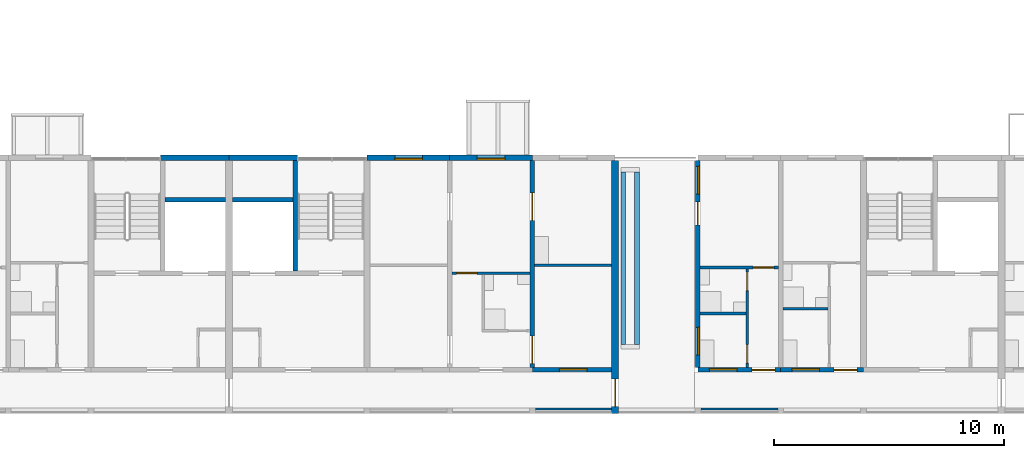
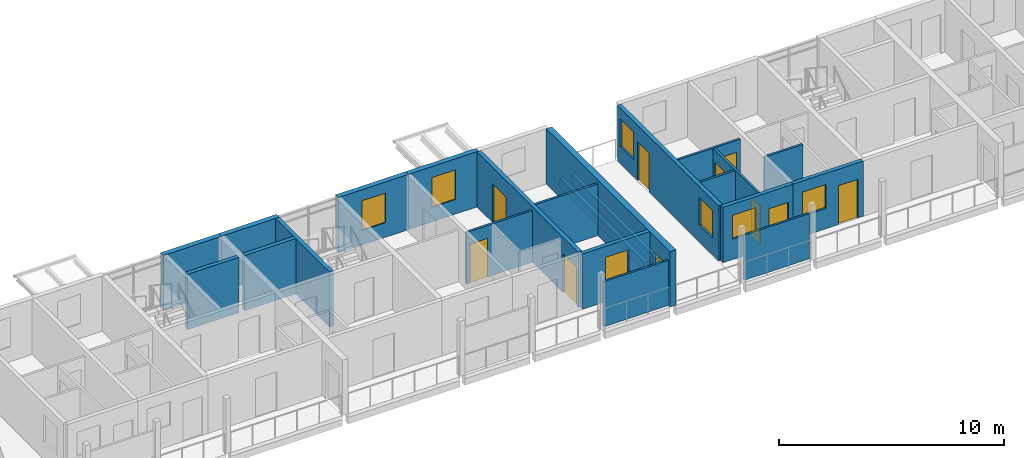
# One storey, part 34 of 78: 23 walls, 10 doors, 7 windows, 17 openings.
"""IFC4 building model written with IfcOpenShell, lengths in metres."""

from ifc_helpers import new_model, si_unit, direction, frame, frame_2d, origin, place, context, subcontext, project, spatial, rectangle, extrude, material, layer, layer_set, type_object, element, fill, save


model = new_model("IFC4")

# Units and contexts
model_context = context("Model", 3, precision=1e-05, world=origin(), true_north=direction((0.0, 1.0)))
body_context = subcontext(model_context, "Body", "Model", "MODEL_VIEW")
ifc_project = project(units=[si_unit("LENGTHUNIT", "METRE"), si_unit("AREAUNIT", "SQUARE_METRE"), si_unit("VOLUMEUNIT", "CUBIC_METRE"), si_unit("PLANEANGLEUNIT", "RADIAN"), si_unit("MASSUNIT", "GRAM", prefix="KILO")], contexts=[model_context])

# Site, building, storey
site_placement = place(None, origin())
site = spatial("IfcSite", under=ifc_project, at=site_placement, CompositionType="ELEMENT")
building_placement = place(site_placement, origin())
building = spatial("IfcBuilding", under=site, at=building_placement, Name="Ridgestep Commons", CompositionType="ELEMENT")
storey_placement = place(building_placement, frame((0.0, 0.0, 30.0)))
storey = spatial("IfcBuildingStorey", under=building, at=storey_placement, Name="L10", CompositionType="ELEMENT", Elevation=30.0)

# Walls
ifc_material_1 = material(Name="Concrete C30/37", Category="concrete")
ifc_layer_1 = layer(ifc_material_1, 0.199951171875)
ifc_layer_set_1 = layer_set([ifc_layer_1], Name="Core wall 200")
wall_type_1 = type_object("IfcWallType", Name="Core wall 200", PredefinedType="SHEAR", material=ifc_layer_set_1)
wall_1_placement = place(storey_placement, frame((42.824951171875, 21.050048828125, 0.0), z_axis=(0.0, 0.0, 1.0), x_axis=(1.0, 0.0, 0.0)))
element("IfcWall", 1, at=wall_1_placement, inside=storey, type_object=wall_type_1, Name="Core duct wall A2C L10", PredefinedType="SHEAR", context=body_context, shape_type="SweptSolid", body=[
    extrude(rectangle(XDim=2.625, YDim=0.199951171875, at=frame_2d((1.3125, 0.0))), origin(), (0.0, 0.0, 1.0), 3.0),
])
wall_2_placement = place(storey_placement, frame((48.47509765625, 17.949951171875, 0.0), z_axis=(0.0, 0.0, 1.0), x_axis=(0.0, 1.0, 0.0)))
element("IfcWall", 2, at=wall_2_placement, inside=storey, type_object=wall_type_1, Name="Core stair wall A3C L10", PredefinedType="SHEAR", context=body_context, shape_type="SweptSolid", body=[
    extrude(rectangle(XDim=4.800048828125, YDim=0.199951171875, at=frame_2d((2.39990234375, 0.0))), origin(), (0.0, 0.0, 1.0), 3.0),
])
wall_3_placement = place(storey_placement, frame((45.75, 21.050048828125, 0.0), z_axis=(0.0, 0.0, 1.0), x_axis=(1.0, 0.0, 0.0)))
element("IfcWall", 3, at=wall_3_placement, inside=storey, type_object=wall_type_1, Name="Core duct wall A3C L10", PredefinedType="SHEAR", context=body_context, shape_type="SweptSolid", body=[
    extrude(rectangle(XDim=2.625, YDim=0.199951171875, at=frame_2d((1.3125, 0.0))), origin(), (0.0, 0.0, 1.0), 3.0),
])

# Wall, openings, doors
ifc_material_2 = material(Name="Precast concrete C40/50", Category="concrete")
ifc_layer_2 = layer(ifc_material_2, 0.199951171875)
ifc_layer_set_2 = layer_set([ifc_layer_2], Name="Cross wall 200")
wall_type_2 = type_object("IfcWallType", Name="Cross wall 200", PredefinedType="SHEAR", material=ifc_layer_set_2)
wall_4_placement = place(storey_placement, frame((58.800048828125, 13.75, 0.0), z_axis=(0.0, 0.0, 1.0), x_axis=(0.0, 1.0, 0.0)))
wall_4 = element("IfcWall", 4, at=wall_4_placement, inside=storey, type_object=wall_type_2, Name="Cross wall A-10-0588", PredefinedType="SHEAR", context=body_context, shape_type="SweptSolid", body=[
    extrude(rectangle(XDim=9.0, YDim=0.199951171875, at=frame_2d((4.5, 0.0))), origin(), (0.0, 0.0, 1.0), 3.0),
])
opening_1_placement = place(wall_4_placement, frame((0.175048828125, 0.0, 0.0)))
opening_1 = element("IfcOpeningElement", 5, at=opening_1_placement, cuts=wall_4, Name="Opening A3-10a/6", PredefinedType="OPENING", context=body_context, shape_type="SweptSolid", body=[
    extrude(rectangle(XDim=1.199951171875, YDim=2.10009765625, at=frame_2d((0.60009765625, 1.050048828125))), frame((0.0, 0.10986328125, 0.0), z_axis=(0.0, -1.0, 0.0), x_axis=(1.0, 0.0, 0.0)), (0.0, 0.0, 1.0), 0.219970703125),
])
opening_2_placement = place(wall_4_placement, frame((6.39990234375, 0.0, 0.0)))
opening_2 = element("IfcOpeningElement", 6, at=opening_2_placement, cuts=wall_4, Name="Opening A3-10a/7", PredefinedType="OPENING", context=body_context, shape_type="SweptSolid", body=[
    extrude(rectangle(XDim=1.199951171875, YDim=2.10009765625, at=frame_2d((0.60009765625, 1.050048828125))), frame((0.0, 0.10986328125, 0.0), z_axis=(0.0, -1.0, 0.0), x_axis=(1.0, 0.0, 0.0)), (0.0, 0.0, 1.0), 0.219970703125),
])
ifc_material_3 = material(Name="Timber door leaf", Category="wood")
door_type_1 = type_object("IfcDoorType", Name="Double door 1200 x 2100", OperationType="DOUBLE_DOOR_SINGLE_SWING", PredefinedType="DOOR", material=ifc_material_3)
door_1_placement = place(opening_1_placement, origin())
door_1 = element("IfcDoor", 7, at=door_1_placement, inside=storey, type_object=door_type_1, Name="Double door A3-10a/6", OperationType="DOUBLE_DOOR_SINGLE_SWING", OverallHeight=2.10009765625, OverallWidth=1.199951171875, PredefinedType="DOOR", context=body_context, shape_type="SweptSolid", body=[
    extrude(rectangle(XDim=1.199951171875, YDim=2.10009765625, at=frame_2d((0.60009765625, 1.050048828125))), frame((0.0, 0.02490234375, 0.0), z_axis=(0.0, -1.0, 0.0), x_axis=(1.0, 0.0, 0.0)), (0.0, 0.0, 1.0), 0.050048828125),
])
fill(opening_1, door_1)
door_2_placement = place(opening_2_placement, origin())
door_2 = element("IfcDoor", 8, at=door_2_placement, inside=storey, type_object=door_type_1, Name="Double door A3-10a/7", OperationType="DOUBLE_DOOR_SINGLE_SWING", OverallHeight=2.10009765625, OverallWidth=1.199951171875, PredefinedType="DOOR", context=body_context, shape_type="SweptSolid", body=[
    extrude(rectangle(XDim=1.199951171875, YDim=2.10009765625, at=frame_2d((0.60009765625, 1.050048828125))), frame((0.0, 0.02490234375, 0.0), z_axis=(0.0, -1.0, 0.0), x_axis=(1.0, 0.0, 0.0)), (0.0, 0.0, 1.0), 0.050048828125),
])
fill(opening_2, door_2)

# Wall, openings, windows, door
ifc_material_4 = material(Name="Precast concrete C40/50", Category="concrete")
ifc_layer_3 = layer(ifc_material_4, 0.199951171875)
ifc_layer_set_3 = layer_set([ifc_layer_3], Name="Exposed cross wall 200")
wall_type_3 = type_object("IfcWallType", Name="Exposed cross wall 200", PredefinedType="SHEAR", material=ifc_layer_set_3)
wall_5_placement = place(storey_placement, frame((66.0, 13.75, 0.0), z_axis=(0.0, 0.0, 1.0), x_axis=(0.0, 1.0, 0.0)))
wall_5 = element("IfcWall", 9, at=wall_5_placement, inside=storey, type_object=wall_type_3, Name="Cross wall A-10-0660", PredefinedType="SHEAR", context=body_context, shape_type="SweptSolid", body=[
    extrude(rectangle(XDim=9.0, YDim=0.199951171875, at=frame_2d((4.5, 0.0))), origin(), (0.0, 0.0, 1.0), 3.0),
])
opening_3_placement = place(wall_5_placement, frame((0.550048828125, 0.0, 0.89990234375)))
opening_3 = element("IfcOpeningElement", 10, at=opening_3_placement, cuts=wall_5, Name="Opening W10", PredefinedType="OPENING", context=body_context, shape_type="SweptSolid", body=[
    extrude(rectangle(XDim=1.199951171875, YDim=1.5, at=frame_2d((0.60009765625, 0.75))), frame((0.0, 0.10986328125, 0.0), z_axis=(0.0, -1.0, 0.0), x_axis=(1.0, 0.0, 0.0)), (0.0, 0.0, 1.0), 0.219970703125),
])
opening_4_placement = place(wall_5_placement, frame((7.552490234375, 0.0, 0.89990234375)))
opening_4 = element("IfcOpeningElement", 11, at=opening_4_placement, cuts=wall_5, Name="Opening W10", PredefinedType="OPENING", context=body_context, shape_type="SweptSolid", body=[
    extrude(rectangle(XDim=1.199951171875, YDim=1.5, at=frame_2d((0.60009765625, 0.75))), frame((0.0, 0.10986328125, 0.0), z_axis=(0.0, -1.0, 0.0), x_axis=(1.0, 0.0, 0.0)), (0.0, 0.0, 1.0), 0.219970703125),
])
opening_5_placement = place(wall_5_placement, frame((6.205078125, 0.0, 0.0)))
opening_5 = element("IfcOpeningElement", 12, at=opening_5_placement, cuts=wall_5, Name="Opening A4-10a/5", PredefinedType="OPENING", context=body_context, shape_type="SweptSolid", body=[
    extrude(rectangle(XDim=1.0, YDim=2.10009765625, at=frame_2d((0.5, 1.050048828125))), frame((0.0, 0.10986328125, 0.0), z_axis=(0.0, -1.0, 0.0), x_axis=(1.0, 0.0, 0.0)), (0.0, 0.0, 1.0), 0.219970703125),
])
ifc_material_5 = material(Name="Aluminium 6063-T6 and glass", Category="aluminium")
window_type_1 = type_object("IfcWindowType", Name="Flat window 1200 x 1500", PartitioningType="SINGLE_PANEL", PredefinedType="WINDOW", material=ifc_material_5)
window_1_placement = place(opening_3_placement, origin())
window_1 = element("IfcWindow", 13, at=window_1_placement, inside=storey, type_object=window_type_1, Name="Window A4-10a 3", OverallHeight=1.5, OverallWidth=1.199951171875, PartitioningType="SINGLE_PANEL", PredefinedType="WINDOW", context=body_context, shape_type="SweptSolid", body=[
    extrude(rectangle(XDim=1.199951171875, YDim=1.5, at=frame_2d((0.60009765625, 0.75))), frame((0.0, 0.0, 0.0), z_axis=(0.0, -1.0, 0.0), x_axis=(1.0, 0.0, 0.0)), (0.0, 0.0, 1.0), 0.06005859375),
])
fill(opening_3, window_1)
window_2_placement = place(opening_4_placement, origin())
window_2 = element("IfcWindow", 14, at=window_2_placement, inside=storey, type_object=window_type_1, Name="Window A4-10a 4", OverallHeight=1.5, OverallWidth=1.199951171875, PartitioningType="SINGLE_PANEL", PredefinedType="WINDOW", context=body_context, shape_type="SweptSolid", body=[
    extrude(rectangle(XDim=1.199951171875, YDim=1.5, at=frame_2d((0.60009765625, 0.75))), frame((0.0, 0.0, 0.0), z_axis=(0.0, -1.0, 0.0), x_axis=(1.0, 0.0, 0.0)), (0.0, 0.0, 1.0), 0.06005859375),
])
fill(opening_4, window_2)
ifc_material_6 = material(Name="Aluminium and glass", Category="aluminium")
door_type_2 = type_object("IfcDoorType", Name="Terrace door 1000 x 2100", OperationType="NOTDEFINED", PredefinedType="DOOR", material=ifc_material_6)
door_3_placement = place(opening_5_placement, origin())
door_3 = element("IfcDoor", 15, at=door_3_placement, inside=storey, type_object=door_type_2, Name="Terrace door A4-10a/5", OperationType="SINGLE_SWING_RIGHT", OverallHeight=2.10009765625, OverallWidth=1.0, PredefinedType="DOOR", context=body_context, shape_type="SweptSolid", body=[
    extrude(rectangle(XDim=1.0, YDim=2.10009765625, at=frame_2d((0.5, 1.050048828125))), frame((0.0, 0.02490234375, 0.0), z_axis=(0.0, -1.0, 0.0), x_axis=(1.0, 0.0, 0.0)), (0.0, 0.0, 1.0), 0.050048828125),
])
fill(opening_5, door_3)

# Wall, opening, door
ifc_material_7 = material(Name="Precast concrete C40/50", Category="concrete")
ifc_layer_4 = layer(ifc_material_7, 0.300048828125)
ifc_layer_set_4 = layer_set([ifc_layer_4], Name="Exposed division wall 300")
wall_type_4 = type_object("IfcWallType", Name="Exposed division wall 300", PredefinedType="SHEAR", material=ifc_layer_set_4)
wall_6_placement = place(storey_placement, frame((62.39990234375, 11.75, 0.0), z_axis=(0.0, 0.0, 1.0), x_axis=(0.0, 1.0, 0.0)))
wall_6 = element("IfcWall", 16, at=wall_6_placement, inside=storey, type_object=wall_type_4, Name="Cross wall A-10-0624", PredefinedType="SHEAR", context=body_context, shape_type="SweptSolid", body=[
    extrude(rectangle(XDim=11.0, YDim=0.300048828125, at=frame_2d((5.5, 0.0))), origin(), (0.0, 0.0, 1.0), 3.0),
])
opening_6_placement = place(wall_6_placement, frame((0.300048828125, 0.0, 0.0)))
opening_6 = element("IfcOpeningElement", 17, at=opening_6_placement, cuts=wall_6, Name="Opening A/10/G0624", PredefinedType="OPENING", context=body_context, shape_type="SweptSolid", body=[
    extrude(rectangle(XDim=1.199951171875, YDim=2.10009765625, at=frame_2d((0.60009765625, 1.050048828125))), frame((0.0, 0.159912109375, 0.0), z_axis=(0.0, -1.0, 0.0), x_axis=(1.0, 0.0, 0.0)), (0.0, 0.0, 1.0), 0.320068359375),
])
ifc_material_8 = material(Name="Steel fire door", Category="steel")
door_type_3 = type_object("IfcDoorType", Name="Division fire door 1200 x 2100 EI 240", OperationType="DOUBLE_DOOR_SINGLE_SWING", PredefinedType="DOOR", material=ifc_material_8)
door_4_placement = place(opening_6_placement, origin())
door_4 = element("IfcDoor", 18, at=door_4_placement, inside=storey, type_object=door_type_3, Name="Division fire door A/10/G0624", OperationType="DOUBLE_DOOR_SINGLE_SWING", OverallHeight=2.10009765625, OverallWidth=1.199951171875, PredefinedType="DOOR", context=body_context, shape_type="SweptSolid", body=[
    extrude(rectangle(XDim=1.199951171875, YDim=2.10009765625, at=frame_2d((0.60009765625, 1.050048828125))), frame((0.0, 0.02490234375, 0.0), z_axis=(0.0, -1.0, 0.0), x_axis=(1.0, 0.0, 0.0)), (0.0, 0.0, 1.0), 0.050048828125),
])
fill(opening_6, door_4)

# Walls
ifc_material_9 = material(Name="Precast concrete C40/50", Category="concrete")
ifc_layer_5 = layer(ifc_material_9, 0.25)
ifc_layer_set_5 = layer_set([ifc_layer_5], Name="North facade panel 250")
wall_type_5 = type_object("IfcWallType", Name="North facade panel 250", PredefinedType="SOLIDWALL", material=ifc_layer_set_5)
wall_7_placement = place(storey_placement, frame((42.625, 22.875, 0.0), z_axis=(0.0, 0.0, 1.0), x_axis=(1.0, 0.0, 0.0)))
element("IfcWall", 19, at=wall_7_placement, inside=storey, type_object=wall_type_5, Name="North panel A2C L10", PredefinedType="SOLIDWALL", context=body_context, shape_type="SweptSolid", body=[
    extrude(rectangle(XDim=2.97509765625, YDim=0.25, at=frame_2d((1.487548828125, 0.0))), origin(), (0.0, 0.0, 1.0), 3.0),
])
wall_8_placement = place(storey_placement, frame((45.60009765625, 22.875, 0.0), z_axis=(0.0, 0.0, 1.0), x_axis=(1.0, 0.0, 0.0)))
element("IfcWall", 20, at=wall_8_placement, inside=storey, type_object=wall_type_5, Name="North panel A3C L10", PredefinedType="SOLIDWALL", context=body_context, shape_type="SweptSolid", body=[
    extrude(rectangle(XDim=2.974853515625, YDim=0.25, at=frame_2d((1.4873046875, 0.0))), origin(), (0.0, 0.0, 1.0), 3.0),
])

# Wall, opening, window
wall_9_placement = place(storey_placement, frame((51.60009765625, 22.875, 0.0), z_axis=(0.0, 0.0, 1.0), x_axis=(1.0, 0.0, 0.0)))
wall_9 = element("IfcWall", 21, at=wall_9_placement, inside=storey, type_object=wall_type_5, Name="North panel A3T3 L10", PredefinedType="SOLIDWALL", context=body_context, shape_type="SweptSolid", body=[
    extrude(rectangle(XDim=3.599853515625, YDim=0.25, at=frame_2d((1.7998046875, 0.0))), origin(), (0.0, 0.0, 1.0), 3.0),
])
opening_7_placement = place(wall_9_placement, frame((1.21240234375, 0.0, 0.800048828125)))
opening_7 = element("IfcOpeningElement", 22, at=opening_7_placement, cuts=wall_9, Name="Opening W11", PredefinedType="OPENING", context=body_context, shape_type="SweptSolid", body=[
    extrude(rectangle(XDim=1.199951171875, YDim=1.60009765625, at=frame_2d((0.60009765625, 0.800048828125))), frame((0.0, 0.135009765625, 0.0), z_axis=(0.0, -1.0, 0.0), x_axis=(1.0, 0.0, 0.0)), (0.0, 0.0, 1.0), 0.27001953125),
])
ifc_material_10 = material(Name="Aluminium 6063-T6 and glass", Category="aluminium")
window_type_2 = type_object("IfcWindowType", Name="Flat window 1200 x 1600", PartitioningType="SINGLE_PANEL", PredefinedType="WINDOW", material=ifc_material_10)
window_3_placement = place(opening_7_placement, origin())
window_3 = element("IfcWindow", 23, at=window_3_placement, inside=storey, type_object=window_type_2, Name="Window A3-10a 2", OverallHeight=1.60009765625, OverallWidth=1.199951171875, PartitioningType="SINGLE_PANEL", PredefinedType="WINDOW", context=body_context, shape_type="SweptSolid", body=[
    extrude(rectangle(XDim=1.199951171875, YDim=1.60009765625, at=frame_2d((0.60009765625, 0.800048828125))), frame((0.0, -0.02490234375, 0.0), z_axis=(0.0, -1.0, 0.0), x_axis=(1.0, 0.0, 0.0)), (0.0, 0.0, 1.0), 0.06005859375),
])
fill(opening_7, window_3)

wall_10_placement = place(storey_placement, frame((55.199951171875, 22.875, 0.0), z_axis=(0.0, 0.0, 1.0), x_axis=(1.0, 0.0, 0.0)))
wall_10 = element("IfcWall", 24, at=wall_10_placement, inside=storey, type_object=wall_type_5, Name="North panel A3T2 L10", PredefinedType="SOLIDWALL", context=body_context, shape_type="SweptSolid", body=[
    extrude(rectangle(XDim=3.60009765625, YDim=0.25, at=frame_2d((1.800048828125, 0.0))), origin(), (0.0, 0.0, 1.0), 3.0),
])
opening_8_placement = place(wall_10_placement, frame((1.199951171875, 0.0, 0.800048828125)))
opening_8 = element("IfcOpeningElement", 25, at=opening_8_placement, cuts=wall_10, Name="Opening W11", PredefinedType="OPENING", context=body_context, shape_type="SweptSolid", body=[
    extrude(rectangle(XDim=1.199951171875, YDim=1.60009765625, at=frame_2d((0.60009765625, 0.800048828125))), frame((0.0, 0.135009765625, 0.0), z_axis=(0.0, -1.0, 0.0), x_axis=(1.0, 0.0, 0.0)), (0.0, 0.0, 1.0), 0.27001953125),
])
window_4_placement = place(opening_8_placement, origin())
window_4 = element("IfcWindow", 26, at=window_4_placement, inside=storey, type_object=window_type_2, Name="Window A3-10a 5", OverallHeight=1.60009765625, OverallWidth=1.199951171875, PartitioningType="SINGLE_PANEL", PredefinedType="WINDOW", context=body_context, shape_type="SweptSolid", body=[
    extrude(rectangle(XDim=1.199951171875, YDim=1.60009765625, at=frame_2d((0.60009765625, 0.800048828125))), frame((0.0, -0.02490234375, 0.0), z_axis=(0.0, -1.0, 0.0), x_axis=(1.0, 0.0, 0.0)), (0.0, 0.0, 1.0), 0.06005859375),
])
fill(opening_8, window_4)

# Wall, opening, door
ifc_material_11 = material(Name="Common brick 110 mm", Category="masonry")
ifc_layer_6 = layer(ifc_material_11, 0.110107421875)
ifc_layer_set_6 = layer_set([ifc_layer_6], Name="Partition 110")
wall_type_6 = type_object("IfcWallType", Name="Partition 110", PredefinedType="PARTITIONING", material=ifc_layer_set_6)
wall_11_placement = place(storey_placement, frame((55.300048828125, 17.864990234375, 0.0), z_axis=(0.0, 0.0, 1.0), x_axis=(1.0, 0.0, 0.0)))
wall_11 = element("IfcWall", 27, at=wall_11_placement, inside=storey, type_object=wall_type_6, Name="Partition A3-10a", PredefinedType="PARTITIONING", context=body_context, shape_type="SweptSolid", body=[
    extrude(rectangle(XDim=3.39990234375, YDim=0.110107421875, at=frame_2d((1.699951171875, 0.0))), origin(), (0.0, 0.0, 1.0), 2.800048828125),
])
opening_9_placement = place(wall_11_placement, frame((0.199951171875, 0.0, 0.0)))
opening_9 = element("IfcOpeningElement", 28, at=opening_9_placement, cuts=wall_11, Name="Opening A3-10a/3", PredefinedType="OPENING", context=body_context, shape_type="SweptSolid", body=[
    extrude(rectangle(XDim=0.89990234375, YDim=2.10009765625, at=frame_2d((0.449951171875, 1.050048828125))), frame((0.0, 0.06494140625, 0.0), z_axis=(0.0, -1.0, 0.0), x_axis=(1.0, 0.0, 0.0)), (0.0, 0.0, 1.0), 0.130126953125),
])
ifc_material_12 = material(Name="Timber door leaf", Category="wood")
door_type_4 = type_object("IfcDoorType", Name="Internal door 900 x 2100", OperationType="NOTDEFINED", PredefinedType="DOOR", material=ifc_material_12)
door_5_placement = place(opening_9_placement, origin())
door_5 = element("IfcDoor", 29, at=door_5_placement, inside=storey, type_object=door_type_4, Name="Internal door A3-10a/3", OperationType="SINGLE_SWING_LEFT", OverallHeight=2.10009765625, OverallWidth=0.89990234375, PredefinedType="DOOR", context=body_context, shape_type="SweptSolid", body=[
    extrude(rectangle(XDim=0.89990234375, YDim=2.10009765625, at=frame_2d((0.449951171875, 1.050048828125))), frame((0.0, 0.02490234375, 0.0), z_axis=(0.0, -1.0, 0.0), x_axis=(1.0, 0.0, 0.0)), (0.0, 0.0, 1.0), 0.050048828125),
])
fill(opening_9, door_5)

# Walls
wall_12_placement = place(storey_placement, frame((58.89990234375, 18.205078125, 0.0), z_axis=(0.0, 0.0, 1.0), x_axis=(1.0, 0.0, 0.0)))
element("IfcWall", 30, at=wall_12_placement, inside=storey, type_object=wall_type_6, Name="Partition A3-10a", PredefinedType="PARTITIONING", context=body_context, shape_type="SweptSolid", body=[
    extrude(rectangle(XDim=3.35009765625, YDim=0.110107421875, at=frame_2d((1.675048828125, 0.0))), origin(), (0.0, 0.0, 1.0), 2.800048828125),
])
wall_13_placement = place(storey_placement, frame((66.10009765625, 16.10498046875, 0.0), z_axis=(0.0, 0.0, 1.0), x_axis=(1.0, 0.0, 0.0)))
element("IfcWall", 31, at=wall_13_placement, inside=storey, type_object=wall_type_6, Name="Partition A4-10a", PredefinedType="PARTITIONING", context=body_context, shape_type="SweptSolid", body=[
    extrude(rectangle(XDim=1.989990234375, YDim=0.110107421875, at=frame_2d((0.9951171875, 0.0))), origin(), (0.0, 0.0, 1.0), 2.75),
])

# Wall, openings, doors
wall_14_placement = place(storey_placement, frame((68.14501953125, 13.75, 0.0), z_axis=(0.0, 0.0, 1.0), x_axis=(0.0, 1.0, 0.0)))
wall_14 = element("IfcWall", 32, at=wall_14_placement, inside=storey, type_object=wall_type_6, Name="Partition A4-10a", PredefinedType="PARTITIONING", context=body_context, shape_type="SweptSolid", body=[
    extrude(rectangle(XDim=4.300048828125, YDim=0.110107421875, at=frame_2d((2.14990234375, 0.0))), origin(), (0.0, 0.0, 1.0), 2.75),
])
opening_10_placement = place(wall_14_placement, frame((0.199951171875, 0.0, 0.0)))
opening_10 = element("IfcOpeningElement", 33, at=opening_10_placement, cuts=wall_14, Name="Opening A4-10a/2", PredefinedType="OPENING", context=body_context, shape_type="SweptSolid", body=[
    extrude(rectangle(XDim=0.800048828125, YDim=2.10009765625, at=frame_2d((0.39990234375, 1.050048828125))), frame((0.0, 0.06494140625, 0.0), z_axis=(0.0, -1.0, 0.0), x_axis=(1.0, 0.0, 0.0)), (0.0, 0.0, 1.0), 0.130126953125),
])
opening_11_placement = place(wall_14_placement, frame((3.35009765625, 0.0, 0.0)))
opening_11 = element("IfcOpeningElement", 34, at=opening_11_placement, cuts=wall_14, Name="Opening A4-10a/3", PredefinedType="OPENING", context=body_context, shape_type="SweptSolid", body=[
    extrude(rectangle(XDim=0.800048828125, YDim=2.10009765625, at=frame_2d((0.39990234375, 1.050048828125))), frame((0.0, 0.06494140625, 0.0), z_axis=(0.0, -1.0, 0.0), x_axis=(1.0, 0.0, 0.0)), (0.0, 0.0, 1.0), 0.130126953125),
])
ifc_material_13 = material(Name="Timber door leaf", Category="wood")
door_type_5 = type_object("IfcDoorType", Name="Internal door 800 x 2100", OperationType="NOTDEFINED", PredefinedType="DOOR", material=ifc_material_13)
door_6_placement = place(opening_10_placement, origin())
door_6 = element("IfcDoor", 35, at=door_6_placement, inside=storey, type_object=door_type_5, Name="Internal door A4-10a/2", OperationType="SINGLE_SWING_LEFT", OverallHeight=2.10009765625, OverallWidth=0.800048828125, PredefinedType="DOOR", context=body_context, shape_type="SweptSolid", body=[
    extrude(rectangle(XDim=0.800048828125, YDim=2.10009765625, at=frame_2d((0.39990234375, 1.050048828125))), frame((0.0, 0.02490234375, 0.0), z_axis=(0.0, -1.0, 0.0), x_axis=(1.0, 0.0, 0.0)), (0.0, 0.0, 1.0), 0.050048828125),
])
fill(opening_10, door_6)
door_7_placement = place(opening_11_placement, origin())
door_7 = element("IfcDoor", 36, at=door_7_placement, inside=storey, type_object=door_type_5, Name="Internal door A4-10a/3", OperationType="SINGLE_SWING_RIGHT", OverallHeight=2.10009765625, OverallWidth=0.800048828125, PredefinedType="DOOR", context=body_context, shape_type="SweptSolid", body=[
    extrude(rectangle(XDim=0.800048828125, YDim=2.10009765625, at=frame_2d((0.39990234375, 1.050048828125))), frame((0.0, 0.02490234375, 0.0), z_axis=(0.0, -1.0, 0.0), x_axis=(1.0, 0.0, 0.0)), (0.0, 0.0, 1.0), 0.050048828125),
])
fill(opening_11, door_7)

# Wall, opening, door
wall_15_placement = place(storey_placement, frame((66.10009765625, 18.10498046875, 0.0), z_axis=(0.0, 0.0, 1.0), x_axis=(1.0, 0.0, 0.0)))
wall_15 = element("IfcWall", 37, at=wall_15_placement, inside=storey, type_object=wall_type_6, Name="Partition A4-10a", PredefinedType="PARTITIONING", context=body_context, shape_type="SweptSolid", body=[
    extrude(rectangle(XDim=3.39990234375, YDim=0.110107421875, at=frame_2d((1.699951171875, 0.0))), origin(), (0.0, 0.0, 1.0), 2.75),
])
opening_12_placement = place(wall_15_placement, frame((2.300048828125, 0.0, 0.0)))
opening_12 = element("IfcOpeningElement", 38, at=opening_12_placement, cuts=wall_15, Name="Opening A4-10a/4", PredefinedType="OPENING", context=body_context, shape_type="SweptSolid", body=[
    extrude(rectangle(XDim=0.89990234375, YDim=2.10009765625, at=frame_2d((0.449951171875, 1.050048828125))), frame((0.0, 0.06494140625, 0.0), z_axis=(0.0, -1.0, 0.0), x_axis=(1.0, 0.0, 0.0)), (0.0, 0.0, 1.0), 0.130126953125),
])
door_8_placement = place(opening_12_placement, origin())
door_8 = element("IfcDoor", 39, at=door_8_placement, inside=storey, type_object=door_type_4, Name="Internal door A4-10a/4", OperationType="SINGLE_SWING_RIGHT", OverallHeight=2.10009765625, OverallWidth=0.89990234375, PredefinedType="DOOR", context=body_context, shape_type="SweptSolid", body=[
    extrude(rectangle(XDim=0.89990234375, YDim=2.10009765625, at=frame_2d((0.449951171875, 1.050048828125))), frame((0.0, 0.02490234375, 0.0), z_axis=(0.0, -1.0, 0.0), x_axis=(1.0, 0.0, 0.0)), (0.0, 0.0, 1.0), 0.050048828125),
])
fill(opening_12, door_8)

# Walls
wall_16_placement = place(storey_placement, frame((69.699951171875, 16.304931640625, 0.0), z_axis=(0.0, 0.0, 1.0), x_axis=(1.0, 0.0, 0.0)))
element("IfcWall", 40, at=wall_16_placement, inside=storey, type_object=wall_type_6, Name="Partition A4-10b", PredefinedType="PARTITIONING", context=body_context, shape_type="SweptSolid", body=[
    extrude(rectangle(XDim=1.965087890625, YDim=0.110107421875, at=frame_2d((0.982421875, 0.0))), origin(), (0.0, 0.0, 1.0), 2.800048828125),
])
ifc_material_14 = material(Name="Precast concrete C30/37", Category="concrete")
ifc_layer_7 = layer(ifc_material_14, 0.10009765625)
ifc_layer_set_7 = layer_set([ifc_layer_7], Name="Perforated gallery screen 3325 x 2450 x 100")
wall_type_7 = type_object("IfcWallType", Name="Perforated gallery screen 3325 x 2450 x 100", PredefinedType="SOLIDWALL", material=ifc_layer_set_7)
wall_17_placement = place(storey_placement, frame((58.925048828125, 11.949951171875, 0.0), z_axis=(0.0, 0.0, 1.0), x_axis=(1.0, 0.0, 0.0)))
element("IfcWall", 41, at=wall_17_placement, inside=storey, type_object=wall_type_7, Name="Gallery screen A3T1 10", PredefinedType="SOLIDWALL", context=body_context, shape_type="SweptSolid", body=[
    extrude(rectangle(XDim=3.324951171875, YDim=0.10009765625, at=frame_2d((1.66259765625, 0.0))), origin(), (0.0, 0.0, 1.0), 2.449951171875),
])
ifc_material_15 = material(Name="Precast concrete C30/37", Category="concrete")
ifc_layer_8 = layer(ifc_material_15, 0.10009765625)
ifc_layer_set_8 = layer_set([ifc_layer_8], Name="Perforated gallery screen 3350 x 2450 x 100")
wall_type_8 = type_object("IfcWallType", Name="Perforated gallery screen 3350 x 2450 x 100", PredefinedType="SOLIDWALL", material=ifc_layer_set_8)
wall_18_placement = place(storey_placement, frame((66.125, 11.949951171875, 0.0), z_axis=(0.0, 0.0, 1.0), x_axis=(1.0, 0.0, 0.0)))
element("IfcWall", 42, at=wall_18_placement, inside=storey, type_object=wall_type_8, Name="Gallery screen A4T2 10", PredefinedType="SOLIDWALL", context=body_context, shape_type="SweptSolid", body=[
    extrude(rectangle(XDim=3.35009765625, YDim=0.10009765625, at=frame_2d((1.675048828125, 0.0))), origin(), (0.0, 0.0, 1.0), 2.449951171875),
])
ifc_material_16 = material(Name="Facing brick", Category="masonry")
ifc_layer_9 = layer(ifc_material_16, 0.199951171875)
ifc_layer_set_9 = layer_set([ifc_layer_9], Name="Planter wall 200")
wall_type_9 = type_object("IfcWallType", Name="Planter wall 200", PredefinedType="SOLIDWALL", material=ifc_layer_set_9)
for number, where, z_axis, x_axis, name in (
    (43, (62.75, 14.75, 0.010009765625), (0.0, 0.0, 1.0), (0.0, 1.0, 0.0), "Planter wall A4R1W"),
    (44, (63.35009765625, 14.75, 0.010009765625), (0.0, 0.0, 1.0), (0.0, 1.0, 0.0), "Planter wall A4R1E"),
):
    element("IfcWall", number, at=place(storey_placement, frame(where, z_axis=z_axis, x_axis=x_axis)), inside=storey, type_object=wall_type_9, Name=name, PredefinedType="SOLIDWALL", context=body_context, shape_type="SweptSolid", body=[
        extrude(rectangle(XDim=7.5, YDim=0.199951171875, at=frame_2d((3.75, 0.0))), origin(), (0.0, 0.0, 1.0), 0.449951171875),
    ])

# Wall, opening, window
ifc_material_17 = material(Name="Precast concrete C40/50", Category="concrete")
ifc_layer_10 = layer(ifc_material_17, 0.199951171875)
ifc_layer_set_10 = layer_set([ifc_layer_10], Name="South facade panel 200")
wall_type_10 = type_object("IfcWallType", Name="South facade panel 200", PredefinedType="SOLIDWALL", material=ifc_layer_set_10)
wall_19_placement = place(storey_placement, frame((58.800048828125, 13.64990234375, 0.0), z_axis=(0.0, 0.0, 1.0), x_axis=(1.0, 0.0, 0.0)))
wall_19 = element("IfcWall", 45, at=wall_19_placement, inside=storey, type_object=wall_type_10, Name="South panel A3T1 L10", PredefinedType="SOLIDWALL", context=body_context, shape_type="SweptSolid", body=[
    extrude(rectangle(XDim=3.449951171875, YDim=0.199951171875, at=frame_2d((1.72509765625, 0.0))), origin(), (0.0, 0.0, 1.0), 3.0),
])
opening_13_placement = place(wall_19_placement, frame((1.175048828125, 0.0, 0.800048828125)))
opening_13 = element("IfcOpeningElement", 46, at=opening_13_placement, cuts=wall_19, Name="Opening W11", PredefinedType="OPENING", context=body_context, shape_type="SweptSolid", body=[
    extrude(rectangle(XDim=1.199951171875, YDim=1.60009765625, at=frame_2d((0.60009765625, 0.800048828125))), frame((0.0, 0.10986328125, 0.0), z_axis=(0.0, -1.0, 0.0), x_axis=(1.0, 0.0, 0.0)), (0.0, 0.0, 1.0), 0.219970703125),
])
window_5_placement = place(opening_13_placement, origin())
window_5 = element("IfcWindow", 47, at=window_5_placement, inside=storey, type_object=window_type_2, Name="Window A3-10a 3", OverallHeight=1.60009765625, OverallWidth=1.199951171875, PartitioningType="SINGLE_PANEL", PredefinedType="WINDOW", context=body_context, shape_type="SweptSolid", body=[
    extrude(rectangle(XDim=1.199951171875, YDim=1.60009765625, at=frame_2d((0.60009765625, 0.800048828125))), frame((0.0, 0.06005859375, 0.0), z_axis=(0.0, -1.0, 0.0), x_axis=(1.0, 0.0, 0.0)), (0.0, 0.0, 1.0), 0.06005859375),
])
fill(opening_13, window_5)

# Wall, openings, door, window
wall_20_placement = place(storey_placement, frame((66.0, 13.64990234375, 0.0), z_axis=(0.0, 0.0, 1.0), x_axis=(1.0, 0.0, 0.0)))
wall_20 = element("IfcWall", 48, at=wall_20_placement, inside=storey, type_object=wall_type_10, Name="South panel A4T2 L10", PredefinedType="SOLIDWALL", context=body_context, shape_type="SweptSolid", body=[
    extrude(rectangle(XDim=3.60009765625, YDim=0.199951171875, at=frame_2d((1.800048828125, 0.0))), origin(), (0.0, 0.0, 1.0), 3.0),
])
opening_14_placement = place(wall_20_placement, frame((0.4951171875, 0.0, 1.10009765625)))
opening_14 = element("IfcOpeningElement", 49, at=opening_14_placement, cuts=wall_20, Name="Opening W08", PredefinedType="OPENING", context=body_context, shape_type="SweptSolid", body=[
    extrude(rectangle(XDim=1.199951171875, YDim=1.300048828125, at=frame_2d((0.60009765625, 0.64990234375))), frame((0.0, 0.10986328125, 0.0), z_axis=(0.0, -1.0, 0.0), x_axis=(1.0, 0.0, 0.0)), (0.0, 0.0, 1.0), 0.219970703125),
])
opening_15_placement = place(wall_20_placement, frame((2.35009765625, 0.0, 0.0)))
opening_15 = element("IfcOpeningElement", 50, at=opening_15_placement, cuts=wall_20, Name="Opening A4-10a/1", PredefinedType="OPENING", context=body_context, shape_type="SweptSolid", body=[
    extrude(rectangle(XDim=1.0, YDim=2.10009765625, at=frame_2d((0.5, 1.050048828125))), frame((0.0, 0.10986328125, 0.0), z_axis=(0.0, -1.0, 0.0), x_axis=(1.0, 0.0, 0.0)), (0.0, 0.0, 1.0), 0.219970703125),
])
ifc_material_18 = material(Name="Timber door leaf", Category="wood")
door_type_6 = type_object("IfcDoorType", Name="Flat entrance door 1000 x 2100 FD30S", OperationType="NOTDEFINED", PredefinedType="DOOR", material=ifc_material_18)
door_9_placement = place(opening_15_placement, origin())
door_9 = element("IfcDoor", 51, at=door_9_placement, inside=storey, type_object=door_type_6, Name="Flat entrance door A4-10a/1", OperationType="SINGLE_SWING_RIGHT", OverallHeight=2.10009765625, OverallWidth=1.0, PredefinedType="DOOR", context=body_context, shape_type="SweptSolid", body=[
    extrude(rectangle(XDim=1.0, YDim=2.10009765625, at=frame_2d((0.5, 1.050048828125))), frame((0.0, 0.02490234375, 0.0), z_axis=(0.0, -1.0, 0.0), x_axis=(1.0, 0.0, 0.0)), (0.0, 0.0, 1.0), 0.050048828125),
])
fill(opening_15, door_9)
ifc_material_19 = material(Name="Aluminium 6063-T6 and glass", Category="aluminium")
window_type_3 = type_object("IfcWindowType", Name="Flat window 1200 x 1300", PartitioningType="SINGLE_PANEL", PredefinedType="WINDOW", material=ifc_material_19)
window_6_placement = place(opening_14_placement, origin())
window_6 = element("IfcWindow", 52, at=window_6_placement, inside=storey, type_object=window_type_3, Name="Window A4-10a 1", OverallHeight=1.300048828125, OverallWidth=1.199951171875, PartitioningType="SINGLE_PANEL", PredefinedType="WINDOW", context=body_context, shape_type="SweptSolid", body=[
    extrude(rectangle(XDim=1.199951171875, YDim=1.300048828125, at=frame_2d((0.60009765625, 0.64990234375))), frame((0.0, 0.06005859375, 0.0), z_axis=(0.0, -1.0, 0.0), x_axis=(1.0, 0.0, 0.0)), (0.0, 0.0, 1.0), 0.06005859375),
])
fill(opening_14, window_6)

wall_21_placement = place(storey_placement, frame((69.60009765625, 13.64990234375, 0.0), z_axis=(0.0, 0.0, 1.0), x_axis=(1.0, 0.0, 0.0)))
wall_21 = element("IfcWall", 53, at=wall_21_placement, inside=storey, type_object=wall_type_10, Name="South panel A4T3 L10", PredefinedType="SOLIDWALL", context=body_context, shape_type="SweptSolid", body=[
    extrude(rectangle(XDim=3.599853515625, YDim=0.199951171875, at=frame_2d((1.7998046875, 0.0))), origin(), (0.0, 0.0, 1.0), 3.0),
])
opening_16_placement = place(wall_21_placement, frame((0.482421875, 0.0, 1.10009765625)))
opening_16 = element("IfcOpeningElement", 54, at=opening_16_placement, cuts=wall_21, Name="Opening W08", PredefinedType="OPENING", context=body_context, shape_type="SweptSolid", body=[
    extrude(rectangle(XDim=1.199951171875, YDim=1.300048828125, at=frame_2d((0.60009765625, 0.64990234375))), frame((0.0, 0.10986328125, 0.0), z_axis=(0.0, -1.0, 0.0), x_axis=(1.0, 0.0, 0.0)), (0.0, 0.0, 1.0), 0.219970703125),
])
opening_17_placement = place(wall_21_placement, frame((2.324951171875, 0.0, 0.0)))
opening_17 = element("IfcOpeningElement", 55, at=opening_17_placement, cuts=wall_21, Name="Opening A4-10b/1", PredefinedType="OPENING", context=body_context, shape_type="SweptSolid", body=[
    extrude(rectangle(XDim=1.0, YDim=2.10009765625, at=frame_2d((0.5, 1.050048828125))), frame((0.0, 0.10986328125, 0.0), z_axis=(0.0, -1.0, 0.0), x_axis=(1.0, 0.0, 0.0)), (0.0, 0.0, 1.0), 0.219970703125),
])
door_10_placement = place(opening_17_placement, origin())
door_10 = element("IfcDoor", 56, at=door_10_placement, inside=storey, type_object=door_type_6, Name="Flat entrance door A4-10b/1", OperationType="SINGLE_SWING_RIGHT", OverallHeight=2.10009765625, OverallWidth=1.0, PredefinedType="DOOR", context=body_context, shape_type="SweptSolid", body=[
    extrude(rectangle(XDim=1.0, YDim=2.10009765625, at=frame_2d((0.5, 1.050048828125))), frame((0.0, 0.02490234375, 0.0), z_axis=(0.0, -1.0, 0.0), x_axis=(1.0, 0.0, 0.0)), (0.0, 0.0, 1.0), 0.050048828125),
])
fill(opening_17, door_10)
window_7_placement = place(opening_16_placement, origin())
window_7 = element("IfcWindow", 57, at=window_7_placement, inside=storey, type_object=window_type_3, Name="Window A4-10b 1", OverallHeight=1.300048828125, OverallWidth=1.199951171875, PartitioningType="SINGLE_PANEL", PredefinedType="WINDOW", context=body_context, shape_type="SweptSolid", body=[
    extrude(rectangle(XDim=1.199951171875, YDim=1.300048828125, at=frame_2d((0.60009765625, 0.64990234375))), frame((0.0, 0.06005859375, 0.0), z_axis=(0.0, -1.0, 0.0), x_axis=(1.0, 0.0, 0.0)), (0.0, 0.0, 1.0), 0.06005859375),
])
fill(opening_16, window_7)

save(model, "model.ifc")
